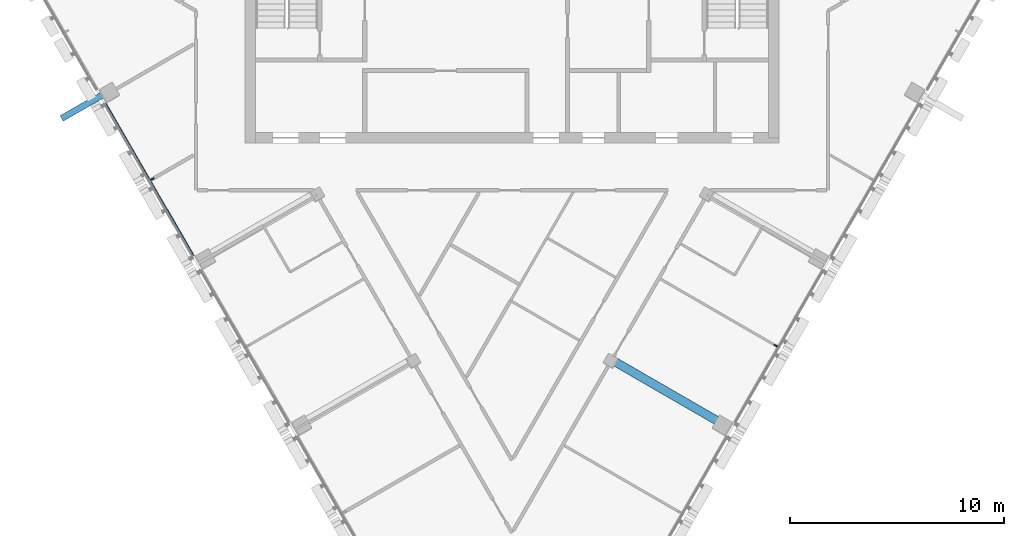
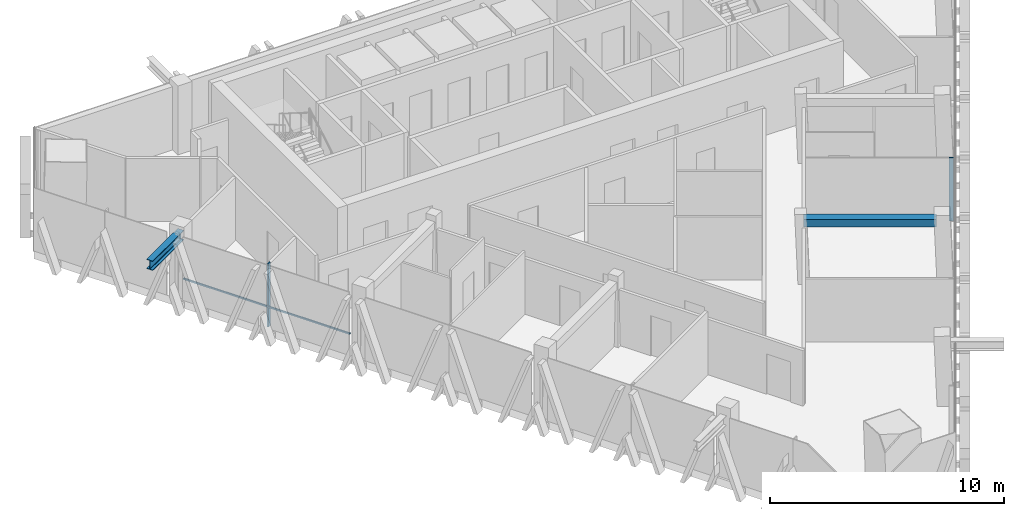
# One storey, part 3 of 12: 4 members, 1 beam, 2 elements without a shape of their own.
"""IFC4 building model written with IfcOpenShell, lengths in metres."""

from ifc_helpers import new_model, si_unit, direction, frame, origin, origin_2d, place, context, subcontext, project, spatial, rectangle, i_section, extrude, material, layer, layer_set, material_profile, profile_set, type_object, element, aggregate, save


model = new_model("IFC4")

# Units and contexts
model_context = context("Model", 3, precision=1e-05, world=origin(), true_north=direction((0.0, 1.0)))
body_context = subcontext(model_context, "Body", "Model", "MODEL_VIEW")
ifc_project = project(units=[si_unit("LENGTHUNIT", "METRE"), si_unit("AREAUNIT", "SQUARE_METRE"), si_unit("VOLUMEUNIT", "CUBIC_METRE"), si_unit("PLANEANGLEUNIT", "RADIAN"), si_unit("MASSUNIT", "GRAM", prefix="KILO")], contexts=[model_context])

# Site, building, storey
site_placement = place(None, origin())
site = spatial("IfcSite", under=ifc_project, at=site_placement, CompositionType="ELEMENT")
building_placement = place(site_placement, origin())
building = spatial("IfcBuilding", under=site, at=building_placement, Name="Altiplano Prism Tower", CompositionType="ELEMENT")
storey_placement = place(building_placement, frame((0.0, 0.0, 282.39990234375)))
storey = spatial("IfcBuildingStorey", under=building, at=storey_placement, Name="L73", CompositionType="ELEMENT", Elevation=282.39990234375)

# Member
ifc_material_1 = material(Name="Steel S355", Category="steel")
ifc_material_profile_1 = material_profile(ifc_material_1, i_section(OverallWidth=0.300048828125, OverallDepth=0.5, WebThickness=0.014404296875, FlangeThickness=0.028076171875, FilletRadius=0.027099609375, at=origin_2d()), Name="Brace bracket HEB 500")
ifc_profile_set_1 = profile_set([ifc_material_profile_1], Name="Steel S355")
member_type_1 = type_object("IfcMemberType", Name="Brace bracket HEB 500", PredefinedType="STRUT", material=ifc_profile_set_1)
member_1_placement = place(storey_placement, frame((66.2080078125, 95.384033203125, 2.9501953125), z_axis=(-0.866029095148, -0.499993606316, 0.0), x_axis=(0.499993606316, -0.866029095148, 0.0)))
element("IfcMember", 1, at=member_1_placement, inside=storey, type_object=member_type_1, Name="Brace bracket 1.286", PredefinedType="STRUT", context=body_context, shape_type="SweptSolid", body=[
    extrude(i_section(OverallWidth=0.300048828125, OverallDepth=0.5, WebThickness=0.014404296875, FlangeThickness=0.028076171875, FilletRadius=0.027099609375, at=origin_2d()), origin(), (0.0, 0.0, 1.0), 2.64990234375),
])

# Curtain wall, member
ifc_material_2 = material(Name="Aluminium and glass", Category="aluminium")
ifc_layer = layer(ifc_material_2, 0.280029296875)
ifc_layer_set = layer_set([ifc_layer], Name="Aluminium and glass")
curtain_wall_type = type_object("IfcCurtainWallType", Name="CW1 typical co-living unitised curtain wall", PredefinedType="NOTDEFINED", material=ifc_layer_set)
curtain_wall_1_placement = place(storey_placement, origin())
curtain_wall_1 = element("IfcCurtainWall", 2, at=curtain_wall_1_placement, inside=storey, type_object=curtain_wall_type, Name="CW1 curtain wall south-west face L73", PredefinedType="NOTDEFINED")
ifc_material_3 = material(Name="Aluminium", Category="aluminium")
ifc_material_profile_2 = material_profile(ifc_material_3, rectangle(XDim=0.179931640625, YDim=0.06494140625, at=origin_2d()), Name="CW1 mullion 65 x 180")
ifc_profile_set_2 = profile_set([ifc_material_profile_2], Name="Aluminium")
member_type_2 = type_object("IfcMemberType", Name="CW1 mullion 65 x 180", PredefinedType="MULLION", material=ifc_profile_set_2)
member_2_placement = place(storey_placement, frame((68.15283203125, 91.21826171875, 0.0), z_axis=(0.0, 0.0, 1.0), x_axis=(0.866025407982, 0.49999999273, 0.0)))
member_2 = element("IfcMember", 3, at=member_2_placement, type_object=member_type_2, Name="CW1 mullion", PredefinedType="MULLION", context=body_context, shape_type="SweptSolid", body=[
    extrude(rectangle(XDim=0.179931640625, YDim=0.06494140625, at=origin_2d()), origin(), (0.0, 0.0, 1.0), 3.300048828125),
])

curtain_wall_2_placement = place(storey_placement, origin())
curtain_wall_2 = element("IfcCurtainWall", 4, at=curtain_wall_2_placement, inside=storey, type_object=curtain_wall_type, Name="CW1 curtain wall south-east face L73", PredefinedType="NOTDEFINED")
member_3_placement = place(storey_placement, frame((97.34716796875, 83.424072265625, 0.0), z_axis=(0.0, 0.0, 1.0), x_axis=(-0.866025407982, 0.49999999273, 0.0)))
member_3 = element("IfcMember", 5, at=member_3_placement, type_object=member_type_2, Name="CW1 mullion", PredefinedType="MULLION", context=body_context, shape_type="SweptSolid", body=[
    extrude(rectangle(XDim=0.179931640625, YDim=0.06494140625, at=origin_2d()), origin(), (0.0, 0.0, 1.0), 3.300048828125),
])
aggregate(curtain_wall_2, [member_3])

# Member
ifc_material_profile_3 = material_profile(ifc_material_3, rectangle(XDim=0.06005859375, YDim=0.080078125, at=origin_2d()), Name="CW1 transom 80 x 60")
ifc_profile_set_3 = profile_set([ifc_material_profile_3], Name="Aluminium")
member_type_3 = type_object("IfcMemberType", Name="CW1 transom 80 x 60", PredefinedType="USERDEFINED", material=ifc_profile_set_3)
member_4_placement = place(storey_placement, frame((65.97412109375, 94.751953125, 1.10009765625), z_axis=(0.500004415232, -0.866022854634, 0.0), x_axis=(0.866022854634, 0.500004415232, 0.0)))
member_4 = element("IfcMember", 6, at=member_4_placement, type_object=member_type_3, Name="CW1 transom", ObjectType="TRANSOM", PredefinedType="USERDEFINED", context=body_context, shape_type="SweptSolid", body=[
    extrude(rectangle(XDim=0.06005859375, YDim=0.080078125, at=origin_2d()), origin(), (0.0, 0.0, 1.0), 8.2197265625),
])

aggregate(curtain_wall_1, [member_2, member_4])

# Beam
ifc_material_4 = material(Name="Concrete C60/75", Category="concrete")
ifc_material_profile_4 = material_profile(ifc_material_4, rectangle(XDim=0.39990234375, YDim=0.39990234375, at=origin_2d()), Name="Tie beam 400x400")
ifc_profile_set_4 = profile_set([ifc_material_profile_4], Name="Concrete C60/75")
beam_type = type_object("IfcBeamType", Name="Tie beam 400x400", PredefinedType="BEAM", material=ifc_profile_set_4)
beam_placement = place(storey_placement, frame((89.6650390625, 82.755615234375, 3.10009765625), z_axis=(0.866011243319, -0.500024525844, 0.0), x_axis=(0.500024525844, 0.866011243319, 0.0)))
element("IfcBeam", 7, at=beam_placement, inside=storey, type_object=beam_type, Name="Tie beam I22 L74", PredefinedType="BEAM", context=body_context, shape_type="SweptSolid", body=[
    extrude(rectangle(XDim=0.39990234375, YDim=0.39990234375, at=origin_2d()), origin(), (0.0, 0.0, 1.0), 5.690185546875),
])

save(model, "model.ifc")
